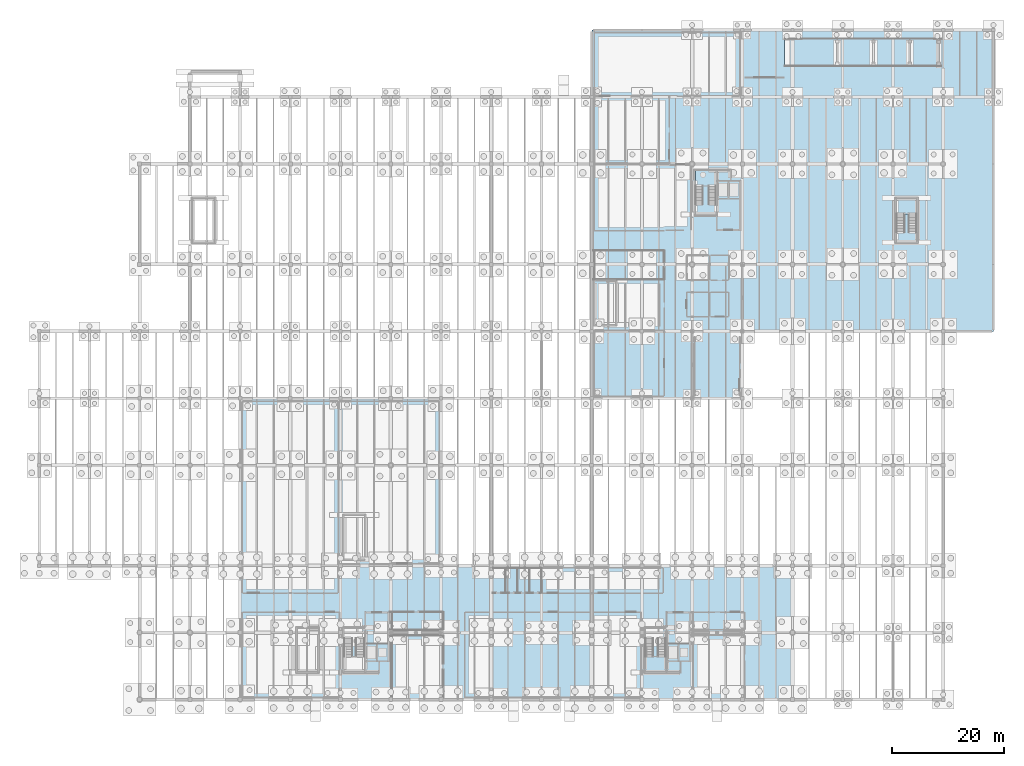
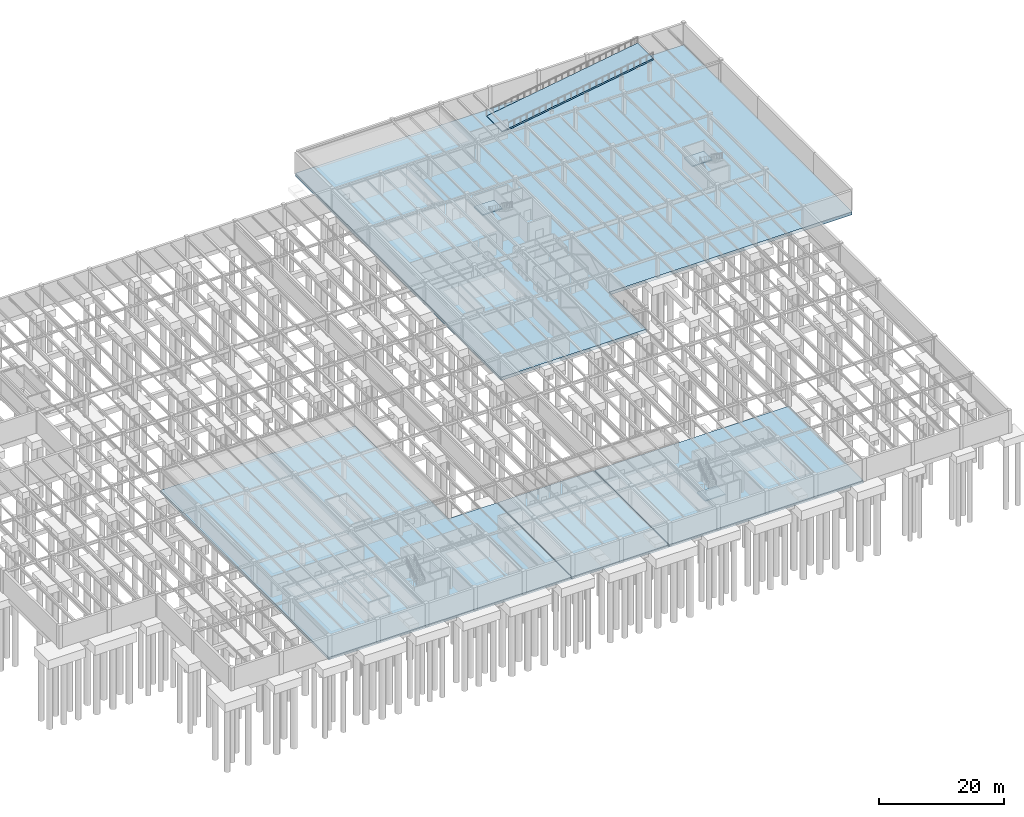
# One storey, part 21 of 40: 8 slabs, 3 elements without a shape of their own.
"""IFC4 building model written with IfcOpenShell, lengths in metres."""

from ifc_helpers import new_model, si_unit, direction, frame, origin, place, context, subcontext, project, spatial, polyline, outline, extrude, material, layer, layer_set, type_object, element, aggregate, save


model = new_model("IFC4")

# Units and contexts
model_context = context("Model", 3, precision=1e-05, world=origin(), true_north=direction((0.0, 1.0)))
body_context = subcontext(model_context, "Body", "Model", "MODEL_VIEW")
ifc_project = project(units=[si_unit("LENGTHUNIT", "METRE"), si_unit("AREAUNIT", "SQUARE_METRE"), si_unit("VOLUMEUNIT", "CUBIC_METRE"), si_unit("PLANEANGLEUNIT", "RADIAN"), si_unit("MASSUNIT", "GRAM", prefix="KILO")], contexts=[model_context])

# Site, building, storey
site_placement = place(None, origin())
site = spatial("IfcSite", under=ifc_project, at=site_placement, CompositionType="ELEMENT")
building_placement = place(site_placement, origin())
building = spatial("IfcBuilding", under=site, at=building_placement, Name="Montelvaro Courts of Justice", CompositionType="ELEMENT")
storey_placement = place(building_placement, frame((0.0, 0.0, -4.5)))
storey = spatial("IfcBuildingStorey", under=building, at=storey_placement, Name="B01", CompositionType="ELEMENT", Elevation=-4.5)

# Slabs
ifc_material = material(Name="Concrete C35/45", Category="concrete")
ifc_layer_1 = layer(ifc_material, 0.5)
ifc_layer_set_1 = layer_set([ifc_layer_1], Name="Concrete C35/45")
slab_type_1 = type_object("IfcSlabType", Name="BaseSlab_500", PredefinedType="BASESLAB", material=ifc_layer_set_1)
slab_1_placement = place(storey_placement, frame((0.0, 0.0, -0.5)))
element("IfcSlab", 1, at=slab_1_placement, inside=storey, type_object=slab_type_1, Name="Structural Slab SB-02 B01", PredefinedType="BASESLAB", context=body_context, shape_type="SweptSolid", body=[
    extrude(outline(polyline([(36.0, 0.0), (80.949951171875, 0.0), (80.949951171875, 24.0), (72.0, 24.0), (72.0, 54.0), (36.0, 54.0), (36.0, 0.0)])), origin(), (0.0, 0.0, 1.0), 0.5),
])
slab_2_placement = place(storey_placement, frame((0.0, 0.0, -0.5)))
element("IfcSlab", 2, at=slab_2_placement, inside=storey, type_object=slab_type_1, Name="Structural Slab SB-02 B01", PredefinedType="BASESLAB", context=body_context, shape_type="SweptSolid", body=[
    extrude(outline(polyline([(81.050048828125, 0.0), (98.949951171875, 0.0), (98.949951171875, 24.0), (81.050048828125, 24.0), (81.050048828125, 0.0)])), origin(), (0.0, 0.0, 1.0), 0.5),
])
slab_3_placement = place(storey_placement, frame((0.0, 0.0, -0.5)))
element("IfcSlab", 3, at=slab_3_placement, inside=storey, type_object=slab_type_1, Name="Structural Slab SB-02 B01", PredefinedType="BASESLAB", context=body_context, shape_type="SweptSolid", body=[
    extrude(outline(polyline([(99.050048828125, 0.0), (135.0, 0.0), (135.0, 24.0), (99.050048828125, 24.0), (99.050048828125, 0.0)])), origin(), (0.0, 0.0, 1.0), 0.5),
])
ifc_layer_2 = layer(ifc_material, 0.60009765625)
ifc_layer_set_2 = layer_set([ifc_layer_2], Name="Concrete C35/45")
slab_type_2 = type_object("IfcSlabType", Name="BaseSlab_600", PredefinedType="BASESLAB", material=ifc_layer_set_2)
slab_4_placement = place(storey_placement, frame((0.0, 0.0, -0.60009765625)))
element("IfcSlab", 4, at=slab_4_placement, inside=storey, type_object=slab_type_2, Name="Structural Slab SB-01 B01", PredefinedType="BASESLAB", context=body_context, shape_type="SweptSolid", body=[
    extrude(outline(polyline([(99.050048828125, 54.0), (126.0, 54.0), (126.0, 66.0), (171.0, 66.0), (171.0, 120.0), (99.050048828125, 120.0), (99.050048828125, 54.0)]), holes=[polyline([(133.580078125, 113.47998046875), (135.75, 113.47998046875), (135.75, 118.52001953125), (133.580078125, 118.52001953125), (133.580078125, 113.47998046875)])]), origin(), (0.0, 0.0, 1.0), 0.60009765625),
])

# Stair, slab
stair_type_1 = type_object("IfcStairType", Name="ProtectedStair_145", PredefinedType="HALF_TURN_STAIR", material=ifc_material)
stair_1_placement = place(storey_placement, origin())
stair_1 = element("IfcStair", 5, at=stair_1_placement, inside=storey, type_object=stair_type_1, Name="Protected Stair ST-K2-B01", PredefinedType="HALF_TURN_STAIR")
ifc_layer_3 = layer(ifc_material, 0.199951171875)
ifc_layer_set_3 = layer_set([ifc_layer_3], Name="Concrete C35/45")
slab_type_3 = type_object("IfcSlabType", Name="StairLanding_200", PredefinedType="LANDING", material=ifc_layer_set_3)
slab_5_placement = place(storey_placement, frame((0.0, 0.0, 2.050048828125)))
slab_5 = element("IfcSlab", 6, at=slab_5_placement, type_object=slab_type_3, Name="ST-K2-B01 landing 1", PredefinedType="LANDING", context=body_context, shape_type="SweptSolid", body=[
    extrude(outline(polyline([(108.60009765625, 5.0), (112.300048828125, 5.0), (112.300048828125, 7.735107421875), (108.60009765625, 7.735107421875), (108.60009765625, 5.0)])), origin(), (0.0, 0.0, 1.0), 0.199951171875),
])
aggregate(stair_1, [slab_5])

stair_type_2 = type_object("IfcStairType", Name="ProtectedStair_135", PredefinedType="HALF_TURN_STAIR", material=ifc_material)
stair_2_placement = place(storey_placement, origin())
stair_2 = element("IfcStair", 7, at=stair_2_placement, inside=storey, type_object=stair_type_2, Name="Protected Stair ST-K3-B01", PredefinedType="HALF_TURN_STAIR")
slab_6_placement = place(storey_placement, frame((0.0, 0.0, 2.050048828125)))
slab_6 = element("IfcSlab", 8, at=slab_6_placement, type_object=slab_type_3, Name="ST-K3-B01 landing 1", PredefinedType="LANDING", context=body_context, shape_type="SweptSolid", body=[
    extrude(outline(polyline([(117.60009765625, 92.06494140625), (121.300048828125, 92.06494140625), (121.300048828125, 94.800048828125), (117.60009765625, 94.800048828125), (117.60009765625, 92.06494140625)])), origin(), (0.0, 0.0, 1.0), 0.199951171875),
])
aggregate(stair_2, [slab_6])

stair_type_3 = type_object("IfcStairType", Name="ProtectedStair_150", PredefinedType="HALF_TURN_STAIR", material=ifc_material)
stair_3_placement = place(storey_placement, origin())
stair_3 = element("IfcStair", 9, at=stair_3_placement, inside=storey, type_object=stair_type_3, Name="Protected Stair ST-V2-B01", PredefinedType="HALF_TURN_STAIR")
slab_7_placement = place(storey_placement, frame((0.0, 0.0, 2.050048828125)))
slab_7 = element("IfcSlab", 10, at=slab_7_placement, type_object=slab_type_3, Name="ST-V2-B01 landing 1", PredefinedType="LANDING", context=body_context, shape_type="SweptSolid", body=[
    extrude(outline(polyline([(153.60009765625, 87.06494140625), (157.300048828125, 87.06494140625), (157.300048828125, 89.800048828125), (153.60009765625, 89.800048828125), (153.60009765625, 87.06494140625)])), origin(), (0.0, 0.0, 1.0), 0.199951171875),
])
aggregate(stair_3, [slab_7])

# Slab
ifc_layer_4 = layer(ifc_material, 0.300048828125)
ifc_layer_set_4 = layer_set([ifc_layer_4], Name="Concrete C35/45")
slab_type_4 = type_object("IfcSlabType", Name="VehicleRampSlab_300", PredefinedType="FLOOR", material=ifc_layer_set_4)
slab_8_placement = place(storey_placement, frame((133.60009765625, 113.5, 0.0), z_axis=(-0.158678095384, 0.0, 0.987330371277), x_axis=(0.987330371277, 0.0, 0.158678095384)))
element("IfcSlab", 11, at=slab_8_placement, inside=storey, type_object=slab_type_4, Name="Structural Vehicle Ramp Slab VR-01", PredefinedType="FLOOR", context=body_context, shape_type="SweptSolid", body=[
    extrude(outline(polyline([(0.0, 0.0), (28.359301824974466, 0.0), (28.359301824974466, 5.0), (0.0, 5.0), (0.0, 0.0)])), origin(), (0.0, 0.0, -1.0), 0.300048828125),
])

save(model, "model.ifc")
